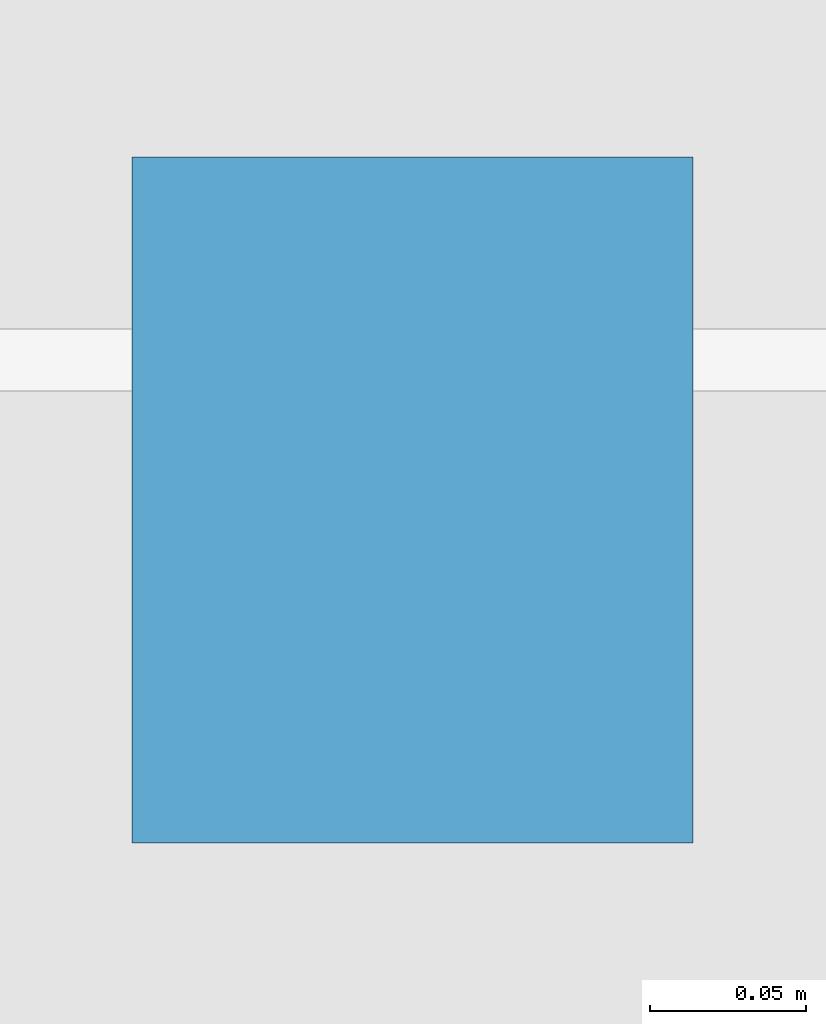
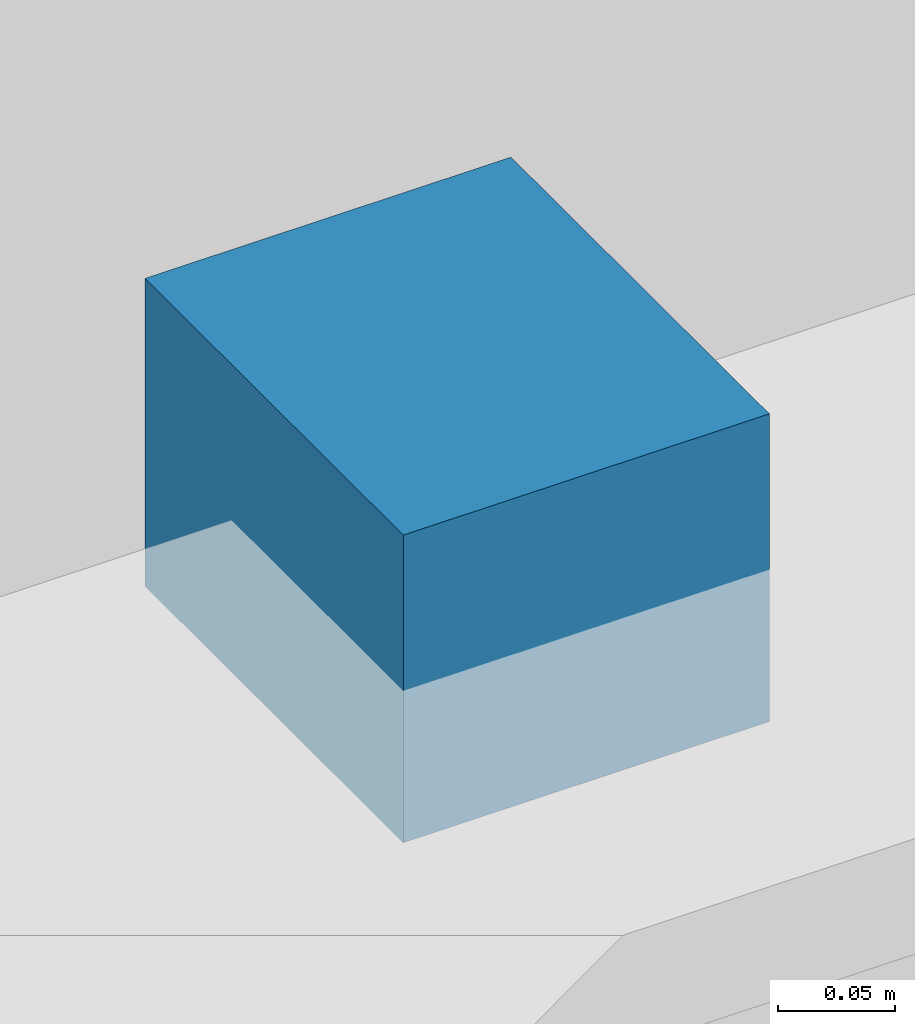
# One storey, part 141 of 157: 1 discrete accessory.
"""IFC4 building model written with IfcOpenShell, lengths in metres."""

import ifcopenshell
import ifcopenshell.guid

model = None  # the IFC model being written
_history = None  # IfcOwnerHistory: only IFC2X3 demands one
_inside = {}  # id of a spatial element -> (the spatial element, [elements in it])
_under = {}  # id of a project, library or spatial element -> (it, [spatial elements below it])
_declared = {}  # id of a project -> (the project, [libraries it declares])
_typed = {}  # id of a type object -> (the type object, [elements of that type])
_made_of = {}  # id of a material, layer set ... -> (it, [elements and type objects made of it])


def new_model(schema):
    """Start an empty IFC model of exactly this schema.

    Asked for "IFC4X3", IfcOpenShell would pick the latest addendum, in which some entities
    have other attributes; the version numbers below select the first issue.
    IFC2X3 requires an IfcOwnerHistory on every rooted entity: one is made here for all.
    """
    global model, _history
    if schema == "IFC4X3":
        model = ifcopenshell.file(schema_version=(4, 3, 0, 0))
    else:
        model = ifcopenshell.file(schema=schema)
    _inside.clear()
    _under.clear()
    _declared.clear()
    _typed.clear()
    _made_of.clear()
    _history = None
    if model.schema == "IFC2X3":
        org = make("IfcOrganization", Name="unknown")
        user = make(
            "IfcPersonAndOrganization",
            ThePerson=make("IfcPerson", FamilyName="unknown"),
            TheOrganization=org,
        )
        app = make(
            "IfcApplication",
            ApplicationDeveloper=org,
            Version="unknown",
            ApplicationFullName="unknown",
            ApplicationIdentifier="unknown",
        )
        _history = make(
            "IfcOwnerHistory",
            OwningUser=user,
            OwningApplication=app,
            ChangeAction="ADDED",
            CreationDate=0,
        )
    return model


def make(cls, **values):
    """One entity of the class cls with the attributes given. An attribute that is None is left unset."""
    return model.create_entity(
        cls, **{name: value for name, value in values.items() if value is not None}
    )


def rooted(cls, **values):
    """An entity with a GlobalId (a new one), such as an element, a storey or a relation."""
    return make(cls, GlobalId=ifcopenshell.guid.new(), OwnerHistory=_history, **values)


def si_unit(unit_type, name, prefix=None):
    """IfcSIUnit, for example si_unit("LENGTHUNIT", "METRE", prefix="MILLI")."""
    return make("IfcSIUnit", UnitType=unit_type, Prefix=prefix, Name=name)


def assignment(units):
    """IfcUnitAssignment: the units of a project."""
    return None if units is None else make("IfcUnitAssignment", Units=units)


def point(xyz):
    """IfcCartesianPoint."""
    return None if xyz is None else make("IfcCartesianPoint", Coordinates=xyz)


def direction(xyz):
    """IfcDirection."""
    return None if xyz is None else make("IfcDirection", DirectionRatios=xyz)


def frame(location, z_axis=None, x_axis=None):
    """IfcAxis2Placement3D, a coordinate frame: its origin and axes. An axis left out is left unset."""
    return make(
        "IfcAxis2Placement3D",
        Location=point(location),
        Axis=direction(z_axis),
        RefDirection=direction(x_axis),
    )


def frame_2d(location, x_axis=None):
    """IfcAxis2Placement2D, a coordinate frame in the plane: its origin and x axis."""
    return make(
        "IfcAxis2Placement2D", Location=point(location), RefDirection=direction(x_axis)
    )


def origin():
    """The frame at (0, 0, 0) with its axes left unset."""
    return frame((0.0, 0.0, 0.0))


def origin_2d():
    """The frame at (0, 0) in the plane with its x axis left unset."""
    return frame_2d((0.0, 0.0))


def place(relative_to, where):
    """IfcLocalPlacement: puts the frame where relative to a parent placement (None: the world)."""
    return make(
        "IfcLocalPlacement", PlacementRelTo=relative_to, RelativePlacement=where
    )


def context(
    kind, dimensions, precision=None, world=None, true_north=None, identifier=None
):
    """IfcGeometricRepresentationContext, for example the 3D "Model" context."""
    return make(
        "IfcGeometricRepresentationContext",
        ContextIdentifier=identifier,
        ContextType=kind,
        CoordinateSpaceDimension=dimensions,
        Precision=precision,
        WorldCoordinateSystem=world,
        TrueNorth=true_north,
    )


def subcontext(parent, identifier, kind, view, scale=None):
    """IfcGeometricRepresentationSubContext, for example "Body" below "Model"."""
    return make(
        "IfcGeometricRepresentationSubContext",
        ContextIdentifier=identifier,
        ContextType=kind,
        ParentContext=parent,
        TargetScale=scale,
        TargetView=view,
    )


def project(units=None, contexts=None):
    """IfcProject with its units and contexts."""
    return rooted(
        "IfcProject",
        Name="project",
        RepresentationContexts=contexts,
        UnitsInContext=assignment(units),
    )


def spatial(cls, under=None, at=None, **own):
    """A site, building, storey or space (cls), placed at a placement, below another one or the project."""
    s = rooted(cls, ObjectPlacement=at, **own)
    if under is not None:
        _under.setdefault(under.id(), (under, []))[1].append(s)
    return s


def profile(cls, at=None, kind="AREA", **sizes):
    """A parametric profile (cls). Its sizes go by their IFC names, for example OverallWidth=200.0."""
    return make(cls, ProfileType=kind, Position=at, **sizes)


def rectangle(**sizes):
    """IfcRectangleProfileDef."""
    return profile("IfcRectangleProfileDef", **sizes)


def extrude(swept, where, along, depth):
    """IfcExtrudedAreaSolid: the profile swept, set in the frame where, extruded along a direction by depth."""
    return make(
        "IfcExtrudedAreaSolid",
        SweptArea=swept,
        Position=where,
        ExtrudedDirection=direction(along),
        Depth=depth,
    )


def shape(context_of_items, identifier, shape_type, items):
    """IfcShapeRepresentation: the items that make up one representation, for example the "Body"."""
    return make(
        "IfcShapeRepresentation",
        ContextOfItems=context_of_items,
        RepresentationIdentifier=identifier,
        RepresentationType=shape_type,
        Items=items,
    )


def material(Name=None, Category=None):
    """IfcMaterial."""
    return make("IfcMaterial", Name=Name, Category=Category)


def made_of(thing, what):
    """Note that an element or type object is made of a material, layer set ...; save() writes the relation."""
    if what is not None:
        _made_of.setdefault(what.id(), (what, []))[1].append(thing)
    return thing


def type_object(cls, material=None, **own):
    """A type object (cls), such as IfcWallType, which elements share."""
    return made_of(rooted(cls, **own), material)


def element(
    cls,
    number,
    at=None,
    inside=None,
    cuts=None,
    type_object=None,
    material=None,
    context=None,
    identifier="Body",
    shape_type=None,
    held_by="IfcProductDefinitionShape",
    body=None,
    shapes=None,
    **own,
):
    """One element of the class cls, such as IfcWall. Its Tag is "e" and its number.

    at: its placement. inside: the storey or other place that contains it. cuts: it is an
    opening in that element (IfcRelVoidsElement). A single representation is given by context,
    identifier, shape_type and body (its items); several are given by shapes. held_by: the class
    of the entity that holds the representations. save() writes the other relations.
    """
    e = rooted(cls, Tag="e%d" % number, ObjectPlacement=at, **own)
    if body is not None:
        shapes = [shape(context, identifier, shape_type, body)]
    if shapes is not None:
        e.Representation = make(held_by, Representations=shapes)
    if inside is not None:
        _inside.setdefault(inside.id(), (inside, []))[1].append(e)
    if cuts is not None:
        rooted(
            "IfcRelVoidsElement", RelatingBuildingElement=cuts, RelatedOpeningElement=e
        )
    if type_object is not None:
        _typed.setdefault(type_object.id(), (type_object, []))[1].append(e)
    return made_of(e, material)


def aggregate(whole, parts):
    """IfcRelAggregates: a whole, such as a stair, and the parts it consists of."""
    return rooted("IfcRelAggregates", RelatingObject=whole, RelatedObjects=parts)


def save(model, path):
    """Write the relations noted so far, then the file.

    IfcRelAggregates (storeys below a building ...), IfcRelContainedInSpatialStructure (elements
    in a storey), IfcRelDefinesByType, IfcRelAssociatesMaterial and IfcRelDeclares: one each for
    every whole, place, type object, material and project.
    """
    for whole, parts in _under.values():
        aggregate(whole, parts)
    for where, things in _inside.values():
        rooted(
            "IfcRelContainedInSpatialStructure",
            RelatedElements=things,
            RelatingStructure=where,
        )
    for kind, things in _typed.values():
        rooted("IfcRelDefinesByType", RelatedObjects=things, RelatingType=kind)
    for what, things in _made_of.values():
        rooted("IfcRelAssociatesMaterial", RelatedObjects=things, RelatingMaterial=what)
    for by, libraries in _declared.values():
        rooted("IfcRelDeclares", RelatingContext=by, RelatedDefinitions=libraries)
    model.write(path)


model = new_model("IFC4")

# Units and contexts
model_context = context("Model", 3, precision=1e-05, world=origin(), true_north=direction((0.0, 1.0)))
body_context = subcontext(model_context, "Body", "Model", "MODEL_VIEW")
ifc_project = project(units=[si_unit("LENGTHUNIT", "METRE"), si_unit("AREAUNIT", "SQUARE_METRE"), si_unit("VOLUMEUNIT", "CUBIC_METRE"), si_unit("PLANEANGLEUNIT", "RADIAN"), si_unit("MASSUNIT", "GRAM", prefix="KILO")], contexts=[model_context])

# Site, building, storey
site_placement = place(None, origin())
site = spatial("IfcSite", under=ifc_project, at=site_placement, CompositionType="ELEMENT")
building_placement = place(site_placement, origin())
building = spatial("IfcBuilding", under=site, at=building_placement, Name="Suanplinth Sawtooth Commons", CompositionType="ELEMENT")
storey_placement = place(building_placement, frame((0.0, 0.0, 9.0)))
storey = spatial("IfcBuildingStorey", under=building, at=storey_placement, Name="L02", CompositionType="ELEMENT", Elevation=9.0)

# Discrete accessory
ifc_material = material(Name="Stainless steel Grade 316", Category="steel")
discrete_accessory_type = type_object("IfcDiscreteAccessoryType", Name="ACC-01", PredefinedType="BRACKET", material=ifc_material)
discrete_accessory_placement = place(storey_placement, frame((154.800048828125, -1.699951171875, 2.89990234375), z_axis=(0.0, 0.0, 1.0), x_axis=(1.0, 0.0, 0.0)))
element("IfcDiscreteAccessory", 1, at=discrete_accessory_placement, inside=storey, type_object=discrete_accessory_type, Name="Louvre Fixing Bracket L02-C-1", PredefinedType="BRACKET", context=body_context, shape_type="SweptSolid", body=[
    extrude(rectangle(XDim=0.179931640625, YDim=0.219970703125, at=origin_2d()), origin(), (0.0, 0.0, 1.0), 0.159912109375),
])

save(model, "model.ifc")
